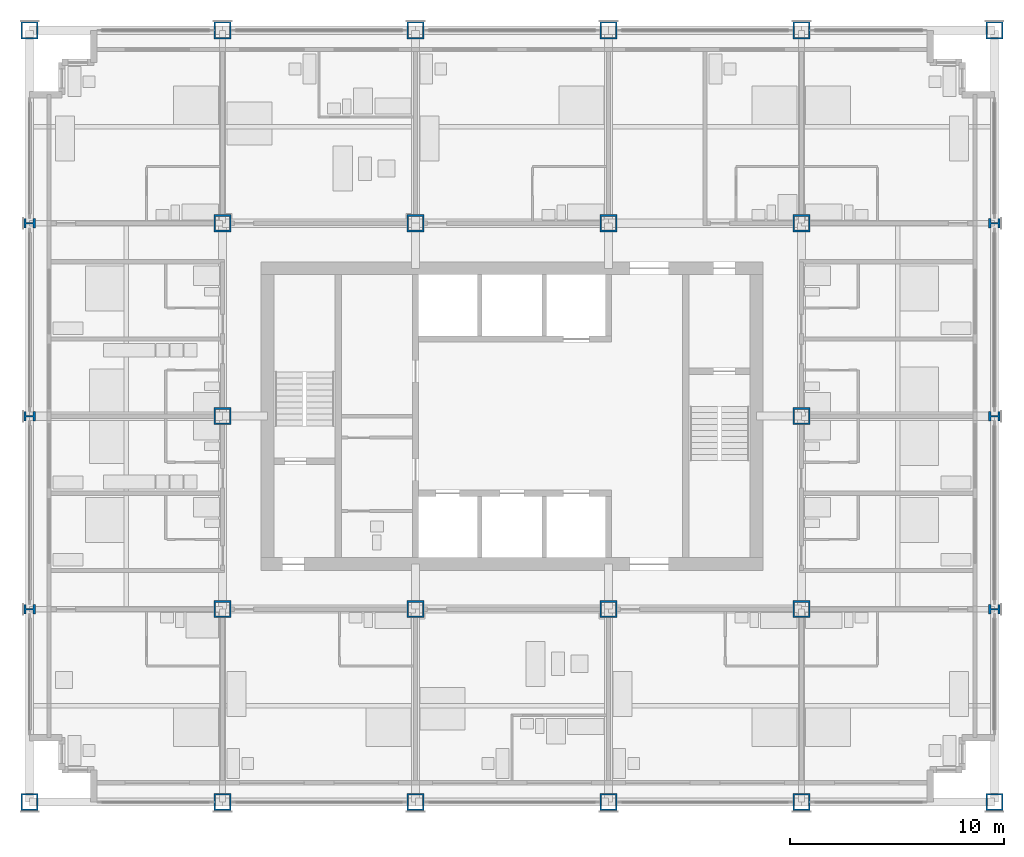
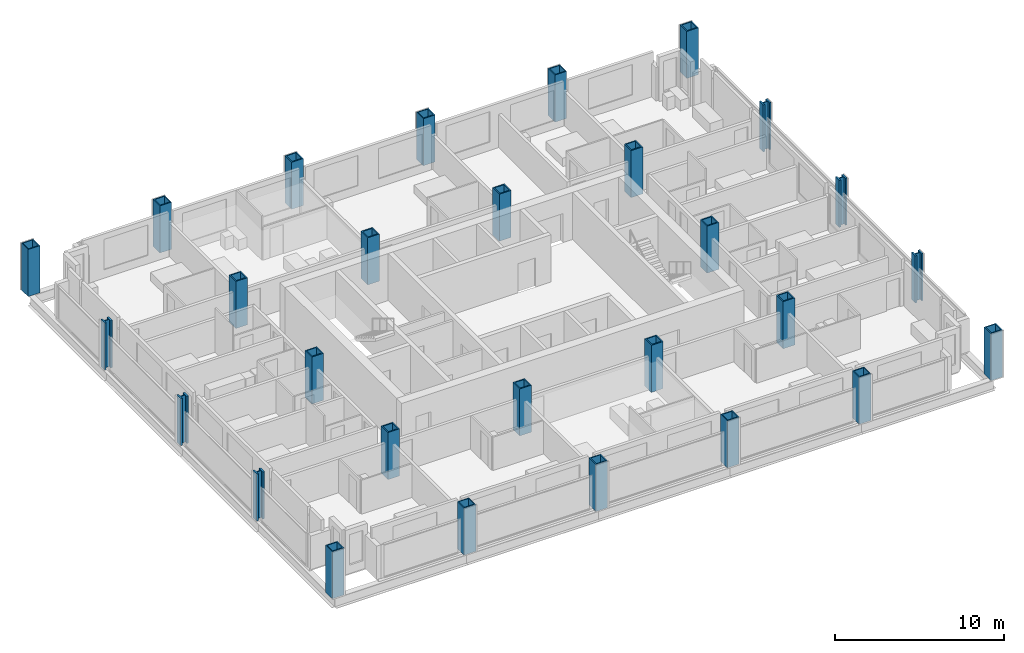
# One storey, part 1 of 16: 28 columns.
"""IFC4 building model written with IfcOpenShell, lengths in metres."""

from ifc_helpers import new_model, si_unit, direction, frame, origin, origin_2d, place, context, subcontext, project, spatial, hollow_rectangle, i_section, extrude, material, material_profile, profile_set, type_object, element, save


model = new_model("IFC4")

# Units and contexts
model_context = context("Model", 3, precision=1e-05, world=origin(), true_north=direction((0.0, 1.0)))
body_context = subcontext(model_context, "Body", "Model", "MODEL_VIEW")
ifc_project = project(units=[si_unit("LENGTHUNIT", "METRE"), si_unit("AREAUNIT", "SQUARE_METRE"), si_unit("VOLUMEUNIT", "CUBIC_METRE"), si_unit("PLANEANGLEUNIT", "RADIAN"), si_unit("MASSUNIT", "GRAM", prefix="KILO")], contexts=[model_context])

# Site, building, storey
site_placement = place(None, origin())
site = spatial("IfcSite", under=ifc_project, at=site_placement, CompositionType="ELEMENT")
building_placement = place(site_placement, origin())
building = spatial("IfcBuilding", under=site, at=building_placement, Name="Loomwork Tower", CompositionType="ELEMENT")
storey_placement = place(building_placement, frame((0.0, 0.0, 111.199951171875)))
storey = spatial("IfcBuildingStorey", under=building, at=storey_placement, Name="L29", CompositionType="ELEMENT", Elevation=111.199951171875)

# Columns
ifc_material_1 = material(Name="Steel ASTM A572 Grade 50 plate", Category="steel")
ifc_material_profile_1 = material_profile(ifc_material_1, hollow_rectangle(XDim=0.800048828125, YDim=0.800048828125, WallThickness=0.070068359375, at=origin_2d()), Name="BOX800x70")
ifc_profile_set_1 = profile_set([ifc_material_profile_1], Name="Steel ASTM A572 Grade 50 plate")
column_type_1 = type_object("IfcColumnType", Name="EXOSKELETON PIER BOX800x70", PredefinedType="COLUMN", material=ifc_profile_set_1)
for number, where, z_axis, x_axis, name in (
    (1, (0.0, 0.0, 0.0), (0.0, 0.0, 1.0), (1.0, 0.0, 0.0), "Exoskeleton Pier D/2 L29"),
    (2, (0.0, 36.0, 0.0), (0.0, 0.0, 1.0), (1.0, 0.0, 0.0), "Exoskeleton Pier H/2 L29"),
    (3, (9.0, 0.0, 0.0), (0.0, 0.0, 1.0), (1.0, 0.0, 0.0), "Exoskeleton Pier D/3 L29"),
    (4, (9.0, 36.0, 0.0), (0.0, 0.0, 1.0), (1.0, 0.0, 0.0), "Exoskeleton Pier H/3 L29"),
    (5, (18.0, 0.0, 0.0), (0.0, 0.0, 1.0), (1.0, 0.0, 0.0), "Exoskeleton Pier D/4 L29"),
    (6, (18.0, 36.0, 0.0), (0.0, 0.0, 1.0), (1.0, 0.0, 0.0), "Exoskeleton Pier H/4 L29"),
    (7, (27.0, 0.0, 0.0), (0.0, 0.0, 1.0), (1.0, 0.0, 0.0), "Exoskeleton Pier D/5 L29"),
    (8, (27.0, 36.0, 0.0), (0.0, 0.0, 1.0), (1.0, 0.0, 0.0), "Exoskeleton Pier H/5 L29"),
    (9, (36.0, 0.0, 0.0), (0.0, 0.0, 1.0), (1.0, 0.0, 0.0), "Exoskeleton Pier D/6 L29"),
    (10, (36.0, 36.0, 0.0), (0.0, 0.0, 1.0), (1.0, 0.0, 0.0), "Exoskeleton Pier H/6 L29"),
    (11, (45.0, 0.0, 0.0), (0.0, 0.0, 1.0), (1.0, 0.0, 0.0), "Exoskeleton Pier D/7 L29"),
    (12, (45.0, 36.0, 0.0), (0.0, 0.0, 1.0), (1.0, 0.0, 0.0), "Exoskeleton Pier H/7 L29"),
):
    element("IfcColumn", number, at=place(storey_placement, frame(where, z_axis=z_axis, x_axis=x_axis)), inside=storey, type_object=column_type_1, Name=name, PredefinedType="COLUMN", context=body_context, shape_type="SweptSolid", body=[
        extrude(hollow_rectangle(XDim=0.800048828125, YDim=0.800048828125, WallThickness=0.070068359375, at=origin_2d()), origin(), (0.0, 0.0, 1.0), 3.400146484375),
    ])
ifc_material_2 = material(Name="Steel ASTM A992", Category="steel")
ifc_material_profile_2 = material_profile(ifc_material_2, i_section(OverallWidth=0.449462890625, OverallDepth=0.548583984375, WebThickness=0.07177734375, FlangeThickness=0.11474609375, at=origin_2d()), Name="W14x665")
ifc_profile_set_2 = profile_set([ifc_material_profile_2], Name="Steel ASTM A992")
column_type_2 = type_object("IfcColumnType", Name="EXOSKELETON PIER W14x665", PredefinedType="COLUMN", material=ifc_profile_set_2)
for number, where, z_axis, x_axis, name in (
    (13, (0.0, 9.0, 0.0), (0.0, 0.0, 1.0), (0.0, 1.0, 0.0), "Exoskeleton Pier E/2 L29"),
    (14, (0.0, 18.0, 0.0), (0.0, 0.0, 1.0), (0.0, 1.0, 0.0), "Exoskeleton Pier F/2 L29"),
    (15, (0.0, 27.0, 0.0), (0.0, 0.0, 1.0), (0.0, 1.0, 0.0), "Exoskeleton Pier G/2 L29"),
    (16, (45.0, 9.0, 0.0), (0.0, 0.0, 1.0), (0.0, 1.0, 0.0), "Exoskeleton Pier E/7 L29"),
    (17, (45.0, 18.0, 0.0), (0.0, 0.0, 1.0), (0.0, 1.0, 0.0), "Exoskeleton Pier F/7 L29"),
    (18, (45.0, 27.0, 0.0), (0.0, 0.0, 1.0), (0.0, 1.0, 0.0), "Exoskeleton Pier G/7 L29"),
):
    element("IfcColumn", number, at=place(storey_placement, frame(where, z_axis=z_axis, x_axis=x_axis)), inside=storey, type_object=column_type_2, Name=name, PredefinedType="COLUMN", context=body_context, shape_type="SweptSolid", body=[
        extrude(i_section(OverallWidth=0.449462890625, OverallDepth=0.548583984375, WebThickness=0.07177734375, FlangeThickness=0.11474609375, at=origin_2d()), origin(), (0.0, 0.0, 1.0), 3.400146484375),
    ])
ifc_material_3 = material(Name="Steel ASTM A572 Grade 50 plate", Category="steel")
ifc_material_profile_3 = material_profile(ifc_material_3, hollow_rectangle(XDim=0.800048828125, YDim=0.800048828125, WallThickness=0.080078125, at=origin_2d()), Name="BOX800x80")
ifc_profile_set_3 = profile_set([ifc_material_profile_3], Name="Steel ASTM A572 Grade 50 plate")
column_type_3 = type_object("IfcColumnType", Name="TOWER COLUMN BOX800x80", PredefinedType="COLUMN", material=ifc_profile_set_3)
for number, where, z_axis, x_axis, name in (
    (19, (9.0, 9.0, 0.0), (0.0, 0.0, 1.0), (1.0, 0.0, 0.0), "Tower Column E/3 L29"),
    (20, (9.0, 18.0, 0.0), (0.0, 0.0, 1.0), (1.0, 0.0, 0.0), "Tower Column F/3 L29"),
    (21, (9.0, 27.0, 0.0), (0.0, 0.0, 1.0), (1.0, 0.0, 0.0), "Tower Column G/3 L29"),
    (22, (18.0, 9.0, 0.0), (0.0, 0.0, 1.0), (1.0, 0.0, 0.0), "Tower Column E/4 L29"),
    (23, (18.0, 27.0, 0.0), (0.0, 0.0, 1.0), (1.0, 0.0, 0.0), "Tower Column G/4 L29"),
    (24, (27.0, 9.0, 0.0), (0.0, 0.0, 1.0), (1.0, 0.0, 0.0), "Tower Column E/5 L29"),
    (25, (27.0, 27.0, 0.0), (0.0, 0.0, 1.0), (1.0, 0.0, 0.0), "Tower Column G/5 L29"),
    (26, (36.0, 9.0, 0.0), (0.0, 0.0, 1.0), (0.0, 1.0, 0.0), "Tower Column E/6 L29"),
    (27, (36.0, 18.0, 0.0), (0.0, 0.0, 1.0), (0.0, 1.0, 0.0), "Tower Column F/6 L29"),
    (28, (36.0, 27.0, 0.0), (0.0, 0.0, 1.0), (1.0, 0.0, 0.0), "Tower Column G/6 L29"),
):
    element("IfcColumn", number, at=place(storey_placement, frame(where, z_axis=z_axis, x_axis=x_axis)), inside=storey, type_object=column_type_3, Name=name, PredefinedType="COLUMN", context=body_context, shape_type="SweptSolid", body=[
        extrude(hollow_rectangle(XDim=0.800048828125, YDim=0.800048828125, WallThickness=0.080078125, at=origin_2d()), origin(), (0.0, 0.0, 1.0), 3.400146484375),
    ])

save(model, "model.ifc")
